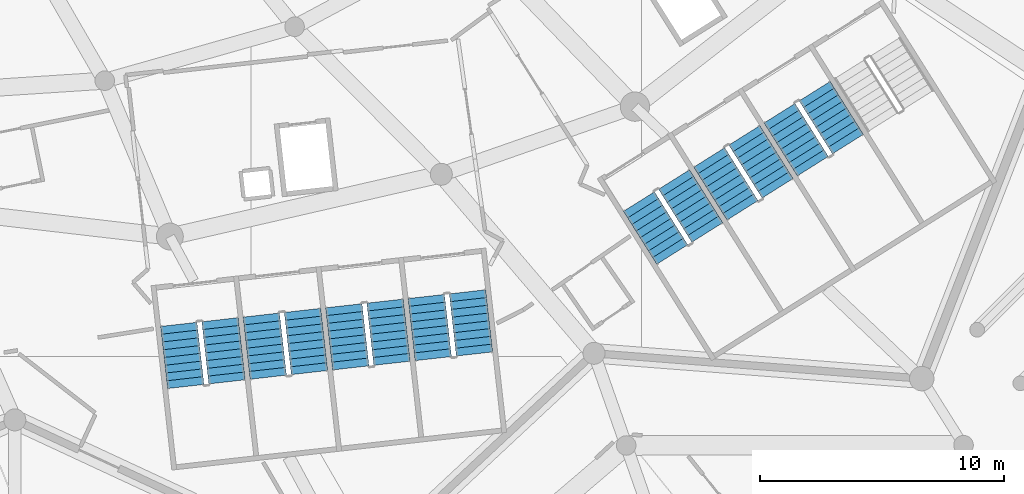
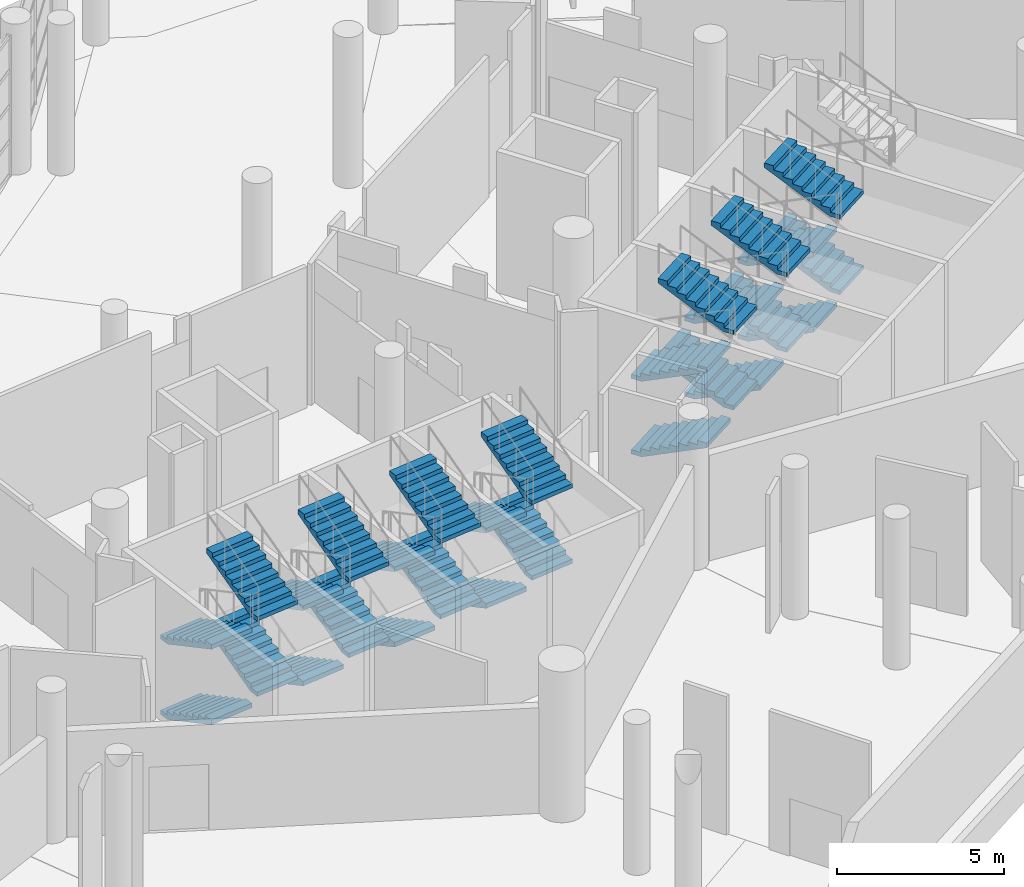
# One storey, part 210 of 271: 28 stair flights, 7 elements without a shape of their own.
"""IFC4 building model written with IfcOpenShell, lengths in metres."""

from ifc_helpers import new_model, si_unit, direction, frame, origin, place, context, subcontext, project, spatial, polyline, outline, extrude, material, type_object, element, aggregate, save


model = new_model("IFC4")

# Units and contexts
model_context = context("Model", 3, precision=1e-05, world=origin(), true_north=direction((0.0, 1.0)))
body_context = subcontext(model_context, "Body", "Model", "MODEL_VIEW")
ifc_project = project(units=[si_unit("LENGTHUNIT", "METRE"), si_unit("AREAUNIT", "SQUARE_METRE"), si_unit("VOLUMEUNIT", "CUBIC_METRE"), si_unit("PLANEANGLEUNIT", "RADIAN"), si_unit("MASSUNIT", "GRAM", prefix="KILO")], contexts=[model_context])

# Site, building, storey
site_placement = place(None, origin())
site = spatial("IfcSite", under=ifc_project, at=site_placement, CompositionType="ELEMENT")
building_placement = place(site_placement, origin())
building = spatial("IfcBuilding", under=site, at=building_placement, Name="Meseta Stadium", CompositionType="ELEMENT")
storey_placement = place(building_placement, frame((0.0, 0.0, 6.5)))
storey = spatial("IfcBuildingStorey", under=building, at=storey_placement, Name="L01", CompositionType="ELEMENT", Elevation=6.5)

# Stair, stair flights
ifc_material_1 = material(Name="Concrete C40/50", Category="concrete")
stair_type = type_object("IfcStairType", Name="Exit stair 4 flights 153 mm risers", PredefinedType="HALF_TURN_STAIR", material=ifc_material_1)
stair_1_placement = place(storey_placement, origin())
stair_1 = element("IfcStair", 1, at=stair_1_placement, inside=storey, type_object=stair_type, Name="ST101 L01", PredefinedType="HALF_TURN_STAIR")
ifc_material_2 = material(Name="Concrete C40/50", Category="concrete")
stair_flight_type = type_object("IfcStairFlightType", Name="Exit stair flight 153 mm risers, 4 per storey", PredefinedType="STRAIGHT", material=ifc_material_2)
stair_flight_1_placement = place(storey_placement, frame((45.04736328125, -94.687744140625, 0.0), z_axis=(0.0, 0.0, 1.0), x_axis=(0.11196446867, -0.993712210731, 0.0)))
stair_flight_1 = element("IfcStairFlight", 2, at=stair_flight_1_placement, type_object=stair_flight_type, Name="ST101 L01 flight 1", NumberOfRisers=9, NumberOfTreads=8, PredefinedType="STRAIGHT", RiserHeight=0.152777778, TreadLength=0.32, context=body_context, shape_type="SweptSolid", body=[
    extrude(outline(polyline([(0.0, 0.0), (0.0, 0.15283203125), (0.320068359375, 0.15283203125), (0.320068359375, 0.3056640625), (0.639892578125, 0.3056640625), (0.639892578125, 0.458251953125), (0.9599609375, 0.458251953125), (0.9599609375, 0.611083984375), (1.280029296875, 0.611083984375), (1.280029296875, 0.763916015625), (1.60009765625, 0.763916015625), (1.60009765625, 0.916748046875), (1.919921875, 0.916748046875), (1.919921875, 1.0693359375), (2.239990234375, 1.0693359375), (2.239990234375, 1.22216796875), (2.56005859375, 1.22216796875), (2.56005859375, 1.05615234375), (0.347900390625, 0.0), (0.0, 0.0)])), frame((0.0, 0.75, 0.0), z_axis=(0.0, -1.0, 0.0), x_axis=(1.0, 0.0, 0.0)), (0.0, 0.0, 1.0), 1.5),
])
stair_flight_2_placement = place(storey_placement, frame((47.0234375, -97.041259765625, 1.375), z_axis=(0.0, 0.0, 1.0), x_axis=(-0.11196446867, 0.993712210731, 0.0)))
stair_flight_2 = element("IfcStairFlight", 3, at=stair_flight_2_placement, type_object=stair_flight_type, Name="ST101 L01 flight 2", NumberOfRisers=9, NumberOfTreads=8, PredefinedType="STRAIGHT", RiserHeight=0.152777778, TreadLength=0.32, context=body_context, shape_type="SweptSolid", body=[
    extrude(outline(polyline([(0.0, 0.0), (0.0, 0.15283203125), (0.320068359375, 0.15283203125), (0.320068359375, 0.3056640625), (0.639892578125, 0.3056640625), (0.639892578125, 0.458251953125), (0.9599609375, 0.458251953125), (0.9599609375, 0.611083984375), (1.280029296875, 0.611083984375), (1.280029296875, 0.763916015625), (1.60009765625, 0.763916015625), (1.60009765625, 0.916748046875), (1.919921875, 0.916748046875), (1.919921875, 1.0693359375), (2.239990234375, 1.0693359375), (2.239990234375, 1.22216796875), (2.56005859375, 1.22216796875), (2.56005859375, 1.05615234375), (0.347900390625, 0.0), (0.0, 0.0)])), frame((0.0, 0.75, 0.0), z_axis=(0.0, -1.0, 0.0), x_axis=(1.0, 0.0, 0.0)), (0.0, 0.0, 1.0), 1.5),
])
stair_flight_3_placement = place(storey_placement, frame((45.04736328125, -94.687744140625, 2.75), z_axis=(0.0, 0.0, 1.0), x_axis=(0.11196446867, -0.993712210731, 0.0)))
stair_flight_3 = element("IfcStairFlight", 4, at=stair_flight_3_placement, type_object=stair_flight_type, Name="ST101 L01 flight 3", NumberOfRisers=9, NumberOfTreads=8, PredefinedType="STRAIGHT", RiserHeight=0.152777778, TreadLength=0.32, context=body_context, shape_type="SweptSolid", body=[
    extrude(outline(polyline([(0.0, 0.0), (0.0, 0.15283203125), (0.320068359375, 0.15283203125), (0.320068359375, 0.3056640625), (0.639892578125, 0.3056640625), (0.639892578125, 0.458251953125), (0.9599609375, 0.458251953125), (0.9599609375, 0.611083984375), (1.280029296875, 0.611083984375), (1.280029296875, 0.763916015625), (1.60009765625, 0.763916015625), (1.60009765625, 0.916748046875), (1.919921875, 0.916748046875), (1.919921875, 1.0693359375), (2.239990234375, 1.0693359375), (2.239990234375, 1.22216796875), (2.56005859375, 1.22216796875), (2.56005859375, 1.05615234375), (0.347900390625, 0.0), (0.0, 0.0)])), frame((0.0, 0.75, 0.0), z_axis=(0.0, -1.0, 0.0), x_axis=(1.0, 0.0, 0.0)), (0.0, 0.0, 1.0), 1.5),
])
stair_flight_4_placement = place(storey_placement, frame((47.0234375, -97.041259765625, 4.125), z_axis=(0.0, 0.0, 1.0), x_axis=(-0.11196446867, 0.993712210731, 0.0)))
stair_flight_4 = element("IfcStairFlight", 5, at=stair_flight_4_placement, type_object=stair_flight_type, Name="ST101 L01 flight 4", NumberOfRisers=9, NumberOfTreads=8, PredefinedType="STRAIGHT", RiserHeight=0.152777778, TreadLength=0.32, context=body_context, shape_type="SweptSolid", body=[
    extrude(outline(polyline([(0.0, 0.0), (0.0, 0.15283203125), (0.320068359375, 0.15283203125), (0.320068359375, 0.3056640625), (0.639892578125, 0.3056640625), (0.639892578125, 0.458251953125), (0.9599609375, 0.458251953125), (0.9599609375, 0.611083984375), (1.280029296875, 0.611083984375), (1.280029296875, 0.763916015625), (1.60009765625, 0.763916015625), (1.60009765625, 0.916748046875), (1.919921875, 0.916748046875), (1.919921875, 1.0693359375), (2.239990234375, 1.0693359375), (2.239990234375, 1.22216796875), (2.56005859375, 1.22216796875), (2.56005859375, 1.05615234375), (0.347900390625, 0.0), (0.0, 0.0)])), frame((0.0, 0.75, 0.0), z_axis=(0.0, -1.0, 0.0), x_axis=(1.0, 0.0, 0.0)), (0.0, 0.0, 1.0), 1.5),
])
aggregate(stair_1, [stair_flight_1, stair_flight_2, stair_flight_3, stair_flight_4])

stair_2_placement = place(storey_placement, origin())
stair_2 = element("IfcStair", 6, at=stair_2_placement, inside=storey, type_object=stair_type, Name="ST102 L01", PredefinedType="HALF_TURN_STAIR")
stair_flight_5_placement = place(storey_placement, frame((48.426025390625, -94.306884765625, 0.0), z_axis=(0.0, 0.0, 1.0), x_axis=(0.11196446867, -0.993712210731, 0.0)))
stair_flight_5 = element("IfcStairFlight", 7, at=stair_flight_5_placement, type_object=stair_flight_type, Name="ST102 L01 flight 1", NumberOfRisers=9, NumberOfTreads=8, PredefinedType="STRAIGHT", RiserHeight=0.152777778, TreadLength=0.32, context=body_context, shape_type="SweptSolid", body=[
    extrude(outline(polyline([(0.0, 0.0), (0.0, 0.15283203125), (0.320068359375, 0.15283203125), (0.320068359375, 0.3056640625), (0.639892578125, 0.3056640625), (0.639892578125, 0.458251953125), (0.9599609375, 0.458251953125), (0.9599609375, 0.611083984375), (1.280029296875, 0.611083984375), (1.280029296875, 0.763916015625), (1.60009765625, 0.763916015625), (1.60009765625, 0.916748046875), (1.919921875, 0.916748046875), (1.919921875, 1.0693359375), (2.239990234375, 1.0693359375), (2.239990234375, 1.22216796875), (2.56005859375, 1.22216796875), (2.56005859375, 1.05615234375), (0.347900390625, 0.0), (0.0, 0.0)])), frame((0.0, 0.75, 0.0), z_axis=(0.0, -1.0, 0.0), x_axis=(1.0, 0.0, 0.0)), (0.0, 0.0, 1.0), 1.5),
])
stair_flight_6_placement = place(storey_placement, frame((50.402099609375, -96.66064453125, 1.375), z_axis=(0.0, 0.0, 1.0), x_axis=(-0.11196446867, 0.993712210731, 0.0)))
stair_flight_6 = element("IfcStairFlight", 8, at=stair_flight_6_placement, type_object=stair_flight_type, Name="ST102 L01 flight 2", NumberOfRisers=9, NumberOfTreads=8, PredefinedType="STRAIGHT", RiserHeight=0.152777778, TreadLength=0.32, context=body_context, shape_type="SweptSolid", body=[
    extrude(outline(polyline([(0.0, 0.0), (0.0, 0.15283203125), (0.320068359375, 0.15283203125), (0.320068359375, 0.3056640625), (0.639892578125, 0.3056640625), (0.639892578125, 0.458251953125), (0.9599609375, 0.458251953125), (0.9599609375, 0.611083984375), (1.280029296875, 0.611083984375), (1.280029296875, 0.763916015625), (1.60009765625, 0.763916015625), (1.60009765625, 0.916748046875), (1.919921875, 0.916748046875), (1.919921875, 1.0693359375), (2.239990234375, 1.0693359375), (2.239990234375, 1.22216796875), (2.56005859375, 1.22216796875), (2.56005859375, 1.05615234375), (0.347900390625, 0.0), (0.0, 0.0)])), frame((0.0, 0.75, 0.0), z_axis=(0.0, -1.0, 0.0), x_axis=(1.0, 0.0, 0.0)), (0.0, 0.0, 1.0), 1.5),
])
stair_flight_7_placement = place(storey_placement, frame((48.426025390625, -94.306884765625, 2.75), z_axis=(0.0, 0.0, 1.0), x_axis=(0.11196446867, -0.993712210731, 0.0)))
stair_flight_7 = element("IfcStairFlight", 9, at=stair_flight_7_placement, type_object=stair_flight_type, Name="ST102 L01 flight 3", NumberOfRisers=9, NumberOfTreads=8, PredefinedType="STRAIGHT", RiserHeight=0.152777778, TreadLength=0.32, context=body_context, shape_type="SweptSolid", body=[
    extrude(outline(polyline([(0.0, 0.0), (0.0, 0.15283203125), (0.320068359375, 0.15283203125), (0.320068359375, 0.3056640625), (0.639892578125, 0.3056640625), (0.639892578125, 0.458251953125), (0.9599609375, 0.458251953125), (0.9599609375, 0.611083984375), (1.280029296875, 0.611083984375), (1.280029296875, 0.763916015625), (1.60009765625, 0.763916015625), (1.60009765625, 0.916748046875), (1.919921875, 0.916748046875), (1.919921875, 1.0693359375), (2.239990234375, 1.0693359375), (2.239990234375, 1.22216796875), (2.56005859375, 1.22216796875), (2.56005859375, 1.05615234375), (0.347900390625, 0.0), (0.0, 0.0)])), frame((0.0, 0.75, 0.0), z_axis=(0.0, -1.0, 0.0), x_axis=(1.0, 0.0, 0.0)), (0.0, 0.0, 1.0), 1.5),
])
stair_flight_8_placement = place(storey_placement, frame((50.402099609375, -96.66064453125, 4.125), z_axis=(0.0, 0.0, 1.0), x_axis=(-0.11196446867, 0.993712210731, 0.0)))
stair_flight_8 = element("IfcStairFlight", 10, at=stair_flight_8_placement, type_object=stair_flight_type, Name="ST102 L01 flight 4", NumberOfRisers=9, NumberOfTreads=8, PredefinedType="STRAIGHT", RiserHeight=0.152777778, TreadLength=0.32, context=body_context, shape_type="SweptSolid", body=[
    extrude(outline(polyline([(0.0, 0.0), (0.0, 0.15283203125), (0.320068359375, 0.15283203125), (0.320068359375, 0.3056640625), (0.639892578125, 0.3056640625), (0.639892578125, 0.458251953125), (0.9599609375, 0.458251953125), (0.9599609375, 0.611083984375), (1.280029296875, 0.611083984375), (1.280029296875, 0.763916015625), (1.60009765625, 0.763916015625), (1.60009765625, 0.916748046875), (1.919921875, 0.916748046875), (1.919921875, 1.0693359375), (2.239990234375, 1.0693359375), (2.239990234375, 1.22216796875), (2.56005859375, 1.22216796875), (2.56005859375, 1.05615234375), (0.347900390625, 0.0), (0.0, 0.0)])), frame((0.0, 0.75, 0.0), z_axis=(0.0, -1.0, 0.0), x_axis=(1.0, 0.0, 0.0)), (0.0, 0.0, 1.0), 1.5),
])
aggregate(stair_2, [stair_flight_5, stair_flight_6, stair_flight_7, stair_flight_8])

stair_3_placement = place(storey_placement, origin())
stair_3 = element("IfcStair", 11, at=stair_3_placement, inside=storey, type_object=stair_type, Name="ST103 L01", PredefinedType="HALF_TURN_STAIR")
stair_flight_9_placement = place(storey_placement, frame((51.8046875, -93.92626953125, 0.0), z_axis=(0.0, 0.0, 1.0), x_axis=(0.11196446867, -0.993712210731, 0.0)))
stair_flight_9 = element("IfcStairFlight", 12, at=stair_flight_9_placement, type_object=stair_flight_type, Name="ST103 L01 flight 1", NumberOfRisers=9, NumberOfTreads=8, PredefinedType="STRAIGHT", RiserHeight=0.152777778, TreadLength=0.32, context=body_context, shape_type="SweptSolid", body=[
    extrude(outline(polyline([(0.0, 0.0), (0.0, 0.15283203125), (0.320068359375, 0.15283203125), (0.320068359375, 0.3056640625), (0.639892578125, 0.3056640625), (0.639892578125, 0.458251953125), (0.9599609375, 0.458251953125), (0.9599609375, 0.611083984375), (1.280029296875, 0.611083984375), (1.280029296875, 0.763916015625), (1.60009765625, 0.763916015625), (1.60009765625, 0.916748046875), (1.919921875, 0.916748046875), (1.919921875, 1.0693359375), (2.239990234375, 1.0693359375), (2.239990234375, 1.22216796875), (2.56005859375, 1.22216796875), (2.56005859375, 1.05615234375), (0.347900390625, 0.0), (0.0, 0.0)])), frame((0.0, 0.75, 0.0), z_axis=(0.0, -1.0, 0.0), x_axis=(1.0, 0.0, 0.0)), (0.0, 0.0, 1.0), 1.5),
])
stair_flight_10_placement = place(storey_placement, frame((53.780517578125, -96.27978515625, 1.375), z_axis=(0.0, 0.0, 1.0), x_axis=(-0.11196446867, 0.993712210731, 0.0)))
stair_flight_10 = element("IfcStairFlight", 13, at=stair_flight_10_placement, type_object=stair_flight_type, Name="ST103 L01 flight 2", NumberOfRisers=9, NumberOfTreads=8, PredefinedType="STRAIGHT", RiserHeight=0.152777778, TreadLength=0.32, context=body_context, shape_type="SweptSolid", body=[
    extrude(outline(polyline([(0.0, 0.0), (0.0, 0.15283203125), (0.320068359375, 0.15283203125), (0.320068359375, 0.3056640625), (0.639892578125, 0.3056640625), (0.639892578125, 0.458251953125), (0.9599609375, 0.458251953125), (0.9599609375, 0.611083984375), (1.280029296875, 0.611083984375), (1.280029296875, 0.763916015625), (1.60009765625, 0.763916015625), (1.60009765625, 0.916748046875), (1.919921875, 0.916748046875), (1.919921875, 1.0693359375), (2.239990234375, 1.0693359375), (2.239990234375, 1.22216796875), (2.56005859375, 1.22216796875), (2.56005859375, 1.05615234375), (0.347900390625, 0.0), (0.0, 0.0)])), frame((0.0, 0.75, 0.0), z_axis=(0.0, -1.0, 0.0), x_axis=(1.0, 0.0, 0.0)), (0.0, 0.0, 1.0), 1.5),
])
stair_flight_11_placement = place(storey_placement, frame((51.8046875, -93.92626953125, 2.75), z_axis=(0.0, 0.0, 1.0), x_axis=(0.11196446867, -0.993712210731, 0.0)))
stair_flight_11 = element("IfcStairFlight", 14, at=stair_flight_11_placement, type_object=stair_flight_type, Name="ST103 L01 flight 3", NumberOfRisers=9, NumberOfTreads=8, PredefinedType="STRAIGHT", RiserHeight=0.152777778, TreadLength=0.32, context=body_context, shape_type="SweptSolid", body=[
    extrude(outline(polyline([(0.0, 0.0), (0.0, 0.15283203125), (0.320068359375, 0.15283203125), (0.320068359375, 0.3056640625), (0.639892578125, 0.3056640625), (0.639892578125, 0.458251953125), (0.9599609375, 0.458251953125), (0.9599609375, 0.611083984375), (1.280029296875, 0.611083984375), (1.280029296875, 0.763916015625), (1.60009765625, 0.763916015625), (1.60009765625, 0.916748046875), (1.919921875, 0.916748046875), (1.919921875, 1.0693359375), (2.239990234375, 1.0693359375), (2.239990234375, 1.22216796875), (2.56005859375, 1.22216796875), (2.56005859375, 1.05615234375), (0.347900390625, 0.0), (0.0, 0.0)])), frame((0.0, 0.75, 0.0), z_axis=(0.0, -1.0, 0.0), x_axis=(1.0, 0.0, 0.0)), (0.0, 0.0, 1.0), 1.5),
])
stair_flight_12_placement = place(storey_placement, frame((53.780517578125, -96.27978515625, 4.125), z_axis=(0.0, 0.0, 1.0), x_axis=(-0.11196446867, 0.993712210731, 0.0)))
stair_flight_12 = element("IfcStairFlight", 15, at=stair_flight_12_placement, type_object=stair_flight_type, Name="ST103 L01 flight 4", NumberOfRisers=9, NumberOfTreads=8, PredefinedType="STRAIGHT", RiserHeight=0.152777778, TreadLength=0.32, context=body_context, shape_type="SweptSolid", body=[
    extrude(outline(polyline([(0.0, 0.0), (0.0, 0.15283203125), (0.320068359375, 0.15283203125), (0.320068359375, 0.3056640625), (0.639892578125, 0.3056640625), (0.639892578125, 0.458251953125), (0.9599609375, 0.458251953125), (0.9599609375, 0.611083984375), (1.280029296875, 0.611083984375), (1.280029296875, 0.763916015625), (1.60009765625, 0.763916015625), (1.60009765625, 0.916748046875), (1.919921875, 0.916748046875), (1.919921875, 1.0693359375), (2.239990234375, 1.0693359375), (2.239990234375, 1.22216796875), (2.56005859375, 1.22216796875), (2.56005859375, 1.05615234375), (0.347900390625, 0.0), (0.0, 0.0)])), frame((0.0, 0.75, 0.0), z_axis=(0.0, -1.0, 0.0), x_axis=(1.0, 0.0, 0.0)), (0.0, 0.0, 1.0), 1.5),
])
aggregate(stair_3, [stair_flight_9, stair_flight_10, stair_flight_11, stair_flight_12])

stair_4_placement = place(storey_placement, origin())
stair_4 = element("IfcStair", 16, at=stair_4_placement, inside=storey, type_object=stair_type, Name="ST104 L01", PredefinedType="HALF_TURN_STAIR")
stair_flight_13_placement = place(storey_placement, frame((55.183349609375, -93.545654296875, 0.0), z_axis=(0.0, 0.0, 1.0), x_axis=(0.11196446867, -0.993712210731, 0.0)))
stair_flight_13 = element("IfcStairFlight", 17, at=stair_flight_13_placement, type_object=stair_flight_type, Name="ST104 L01 flight 1", NumberOfRisers=9, NumberOfTreads=8, PredefinedType="STRAIGHT", RiserHeight=0.152777778, TreadLength=0.32, context=body_context, shape_type="SweptSolid", body=[
    extrude(outline(polyline([(0.0, 0.0), (0.0, 0.15283203125), (0.320068359375, 0.15283203125), (0.320068359375, 0.3056640625), (0.639892578125, 0.3056640625), (0.639892578125, 0.458251953125), (0.9599609375, 0.458251953125), (0.9599609375, 0.611083984375), (1.280029296875, 0.611083984375), (1.280029296875, 0.763916015625), (1.60009765625, 0.763916015625), (1.60009765625, 0.916748046875), (1.919921875, 0.916748046875), (1.919921875, 1.0693359375), (2.239990234375, 1.0693359375), (2.239990234375, 1.22216796875), (2.56005859375, 1.22216796875), (2.56005859375, 1.05615234375), (0.347900390625, 0.0), (0.0, 0.0)])), frame((0.0, 0.75, 0.0), z_axis=(0.0, -1.0, 0.0), x_axis=(1.0, 0.0, 0.0)), (0.0, 0.0, 1.0), 1.5),
])
stair_flight_14_placement = place(storey_placement, frame((57.1591796875, -95.899169921875, 1.375), z_axis=(0.0, 0.0, 1.0), x_axis=(-0.11196446867, 0.993712210731, 0.0)))
stair_flight_14 = element("IfcStairFlight", 18, at=stair_flight_14_placement, type_object=stair_flight_type, Name="ST104 L01 flight 2", NumberOfRisers=9, NumberOfTreads=8, PredefinedType="STRAIGHT", RiserHeight=0.152777778, TreadLength=0.32, context=body_context, shape_type="SweptSolid", body=[
    extrude(outline(polyline([(0.0, 0.0), (0.0, 0.15283203125), (0.320068359375, 0.15283203125), (0.320068359375, 0.3056640625), (0.639892578125, 0.3056640625), (0.639892578125, 0.458251953125), (0.9599609375, 0.458251953125), (0.9599609375, 0.611083984375), (1.280029296875, 0.611083984375), (1.280029296875, 0.763916015625), (1.60009765625, 0.763916015625), (1.60009765625, 0.916748046875), (1.919921875, 0.916748046875), (1.919921875, 1.0693359375), (2.239990234375, 1.0693359375), (2.239990234375, 1.22216796875), (2.56005859375, 1.22216796875), (2.56005859375, 1.05615234375), (0.347900390625, 0.0), (0.0, 0.0)])), frame((0.0, 0.75, 0.0), z_axis=(0.0, -1.0, 0.0), x_axis=(1.0, 0.0, 0.0)), (0.0, 0.0, 1.0), 1.5),
])
stair_flight_15_placement = place(storey_placement, frame((55.183349609375, -93.545654296875, 2.75), z_axis=(0.0, 0.0, 1.0), x_axis=(0.11196446867, -0.993712210731, 0.0)))
stair_flight_15 = element("IfcStairFlight", 19, at=stair_flight_15_placement, type_object=stair_flight_type, Name="ST104 L01 flight 3", NumberOfRisers=9, NumberOfTreads=8, PredefinedType="STRAIGHT", RiserHeight=0.152777778, TreadLength=0.32, context=body_context, shape_type="SweptSolid", body=[
    extrude(outline(polyline([(0.0, 0.0), (0.0, 0.15283203125), (0.320068359375, 0.15283203125), (0.320068359375, 0.3056640625), (0.639892578125, 0.3056640625), (0.639892578125, 0.458251953125), (0.9599609375, 0.458251953125), (0.9599609375, 0.611083984375), (1.280029296875, 0.611083984375), (1.280029296875, 0.763916015625), (1.60009765625, 0.763916015625), (1.60009765625, 0.916748046875), (1.919921875, 0.916748046875), (1.919921875, 1.0693359375), (2.239990234375, 1.0693359375), (2.239990234375, 1.22216796875), (2.56005859375, 1.22216796875), (2.56005859375, 1.05615234375), (0.347900390625, 0.0), (0.0, 0.0)])), frame((0.0, 0.75, 0.0), z_axis=(0.0, -1.0, 0.0), x_axis=(1.0, 0.0, 0.0)), (0.0, 0.0, 1.0), 1.5),
])
stair_flight_16_placement = place(storey_placement, frame((57.1591796875, -95.899169921875, 4.125), z_axis=(0.0, 0.0, 1.0), x_axis=(-0.11196446867, 0.993712210731, 0.0)))
stair_flight_16 = element("IfcStairFlight", 20, at=stair_flight_16_placement, type_object=stair_flight_type, Name="ST104 L01 flight 4", NumberOfRisers=9, NumberOfTreads=8, PredefinedType="STRAIGHT", RiserHeight=0.152777778, TreadLength=0.32, context=body_context, shape_type="SweptSolid", body=[
    extrude(outline(polyline([(0.0, 0.0), (0.0, 0.15283203125), (0.320068359375, 0.15283203125), (0.320068359375, 0.3056640625), (0.639892578125, 0.3056640625), (0.639892578125, 0.458251953125), (0.9599609375, 0.458251953125), (0.9599609375, 0.611083984375), (1.280029296875, 0.611083984375), (1.280029296875, 0.763916015625), (1.60009765625, 0.763916015625), (1.60009765625, 0.916748046875), (1.919921875, 0.916748046875), (1.919921875, 1.0693359375), (2.239990234375, 1.0693359375), (2.239990234375, 1.22216796875), (2.56005859375, 1.22216796875), (2.56005859375, 1.05615234375), (0.347900390625, 0.0), (0.0, 0.0)])), frame((0.0, 0.75, 0.0), z_axis=(0.0, -1.0, 0.0), x_axis=(1.0, 0.0, 0.0)), (0.0, 0.0, 1.0), 1.5),
])
aggregate(stair_4, [stair_flight_13, stair_flight_14, stair_flight_15, stair_flight_16])

stair_5_placement = place(storey_placement, origin())
stair_5 = element("IfcStair", 21, at=stair_5_placement, inside=storey, type_object=stair_type, Name="ST105 L01", PredefinedType="HALF_TURN_STAIR")
stair_flight_17_placement = place(storey_placement, frame((63.892578125, -89.659423828125, 0.0), z_axis=(0.0, 0.0, 1.0), x_axis=(0.532032074404, -0.846724200555, 0.0)))
stair_flight_17 = element("IfcStairFlight", 22, at=stair_flight_17_placement, type_object=stair_flight_type, Name="ST105 L01 flight 1", NumberOfRisers=9, NumberOfTreads=8, PredefinedType="STRAIGHT", RiserHeight=0.152777778, TreadLength=0.32, context=body_context, shape_type="SweptSolid", body=[
    extrude(outline(polyline([(0.0, 0.0), (0.0, 0.15283203125), (0.320068359375, 0.15283203125), (0.320068359375, 0.3056640625), (0.639892578125, 0.3056640625), (0.639892578125, 0.458251953125), (0.9599609375, 0.458251953125), (0.9599609375, 0.611083984375), (1.280029296875, 0.611083984375), (1.280029296875, 0.763916015625), (1.60009765625, 0.763916015625), (1.60009765625, 0.916748046875), (1.919921875, 0.916748046875), (1.919921875, 1.0693359375), (2.239990234375, 1.0693359375), (2.239990234375, 1.22216796875), (2.56005859375, 1.22216796875), (2.56005859375, 1.05615234375), (0.347900390625, 0.0), (0.0, 0.0)])), frame((0.0, 0.75, 0.0), z_axis=(0.0, -1.0, 0.0), x_axis=(1.0, 0.0, 0.0)), (0.0, 0.0, 1.0), 1.5),
])
stair_flight_18_placement = place(storey_placement, frame((66.694091796875, -90.922607421875, 1.375), z_axis=(0.0, 0.0, 1.0), x_axis=(-0.532032074404, 0.846724200555, 0.0)))
stair_flight_18 = element("IfcStairFlight", 23, at=stair_flight_18_placement, type_object=stair_flight_type, Name="ST105 L01 flight 2", NumberOfRisers=9, NumberOfTreads=8, PredefinedType="STRAIGHT", RiserHeight=0.152777778, TreadLength=0.32, context=body_context, shape_type="SweptSolid", body=[
    extrude(outline(polyline([(0.0, 0.0), (0.0, 0.15283203125), (0.320068359375, 0.15283203125), (0.320068359375, 0.3056640625), (0.639892578125, 0.3056640625), (0.639892578125, 0.458251953125), (0.9599609375, 0.458251953125), (0.9599609375, 0.611083984375), (1.280029296875, 0.611083984375), (1.280029296875, 0.763916015625), (1.60009765625, 0.763916015625), (1.60009765625, 0.916748046875), (1.919921875, 0.916748046875), (1.919921875, 1.0693359375), (2.239990234375, 1.0693359375), (2.239990234375, 1.22216796875), (2.56005859375, 1.22216796875), (2.56005859375, 1.05615234375), (0.347900390625, 0.0), (0.0, 0.0)])), frame((0.0, 0.75, 0.0), z_axis=(0.0, -1.0, 0.0), x_axis=(1.0, 0.0, 0.0)), (0.0, 0.0, 1.0), 1.5),
])
stair_flight_19_placement = place(storey_placement, frame((63.892578125, -89.659423828125, 2.75), z_axis=(0.0, 0.0, 1.0), x_axis=(0.532032074404, -0.846724200555, 0.0)))
stair_flight_19 = element("IfcStairFlight", 24, at=stair_flight_19_placement, type_object=stair_flight_type, Name="ST105 L01 flight 3", NumberOfRisers=9, NumberOfTreads=8, PredefinedType="STRAIGHT", RiserHeight=0.152777778, TreadLength=0.32, context=body_context, shape_type="SweptSolid", body=[
    extrude(outline(polyline([(0.0, 0.0), (0.0, 0.15283203125), (0.320068359375, 0.15283203125), (0.320068359375, 0.3056640625), (0.639892578125, 0.3056640625), (0.639892578125, 0.458251953125), (0.9599609375, 0.458251953125), (0.9599609375, 0.611083984375), (1.280029296875, 0.611083984375), (1.280029296875, 0.763916015625), (1.60009765625, 0.763916015625), (1.60009765625, 0.916748046875), (1.919921875, 0.916748046875), (1.919921875, 1.0693359375), (2.239990234375, 1.0693359375), (2.239990234375, 1.22216796875), (2.56005859375, 1.22216796875), (2.56005859375, 1.05615234375), (0.347900390625, 0.0), (0.0, 0.0)])), frame((0.0, 0.75, 0.0), z_axis=(0.0, -1.0, 0.0), x_axis=(1.0, 0.0, 0.0)), (0.0, 0.0, 1.0), 1.5),
])
stair_flight_20_placement = place(storey_placement, frame((66.694091796875, -90.922607421875, 4.125), z_axis=(0.0, 0.0, 1.0), x_axis=(-0.532032074404, 0.846724200555, 0.0)))
stair_flight_20 = element("IfcStairFlight", 25, at=stair_flight_20_placement, type_object=stair_flight_type, Name="ST105 L01 flight 4", NumberOfRisers=9, NumberOfTreads=8, PredefinedType="STRAIGHT", RiserHeight=0.152777778, TreadLength=0.32, context=body_context, shape_type="SweptSolid", body=[
    extrude(outline(polyline([(0.0, 0.0), (0.0, 0.15283203125), (0.320068359375, 0.15283203125), (0.320068359375, 0.3056640625), (0.639892578125, 0.3056640625), (0.639892578125, 0.458251953125), (0.9599609375, 0.458251953125), (0.9599609375, 0.611083984375), (1.280029296875, 0.611083984375), (1.280029296875, 0.763916015625), (1.60009765625, 0.763916015625), (1.60009765625, 0.916748046875), (1.919921875, 0.916748046875), (1.919921875, 1.0693359375), (2.239990234375, 1.0693359375), (2.239990234375, 1.22216796875), (2.56005859375, 1.22216796875), (2.56005859375, 1.05615234375), (0.347900390625, 0.0), (0.0, 0.0)])), frame((0.0, 0.75, 0.0), z_axis=(0.0, -1.0, 0.0), x_axis=(1.0, 0.0, 0.0)), (0.0, 0.0, 1.0), 1.5),
])
aggregate(stair_5, [stair_flight_17, stair_flight_18, stair_flight_19, stair_flight_20])

stair_6_placement = place(storey_placement, origin())
stair_6 = element("IfcStair", 26, at=stair_6_placement, inside=storey, type_object=stair_type, Name="ST106 L01", PredefinedType="HALF_TURN_STAIR")
stair_flight_21_placement = place(storey_placement, frame((66.771484375, -87.8505859375, 0.0), z_axis=(0.0, 0.0, 1.0), x_axis=(0.532032074404, -0.846724200555, 0.0)))
stair_flight_21 = element("IfcStairFlight", 27, at=stair_flight_21_placement, type_object=stair_flight_type, Name="ST106 L01 flight 1", NumberOfRisers=9, NumberOfTreads=8, PredefinedType="STRAIGHT", RiserHeight=0.152777778, TreadLength=0.32, context=body_context, shape_type="SweptSolid", body=[
    extrude(outline(polyline([(0.0, 0.0), (0.0, 0.15283203125), (0.320068359375, 0.15283203125), (0.320068359375, 0.3056640625), (0.639892578125, 0.3056640625), (0.639892578125, 0.458251953125), (0.9599609375, 0.458251953125), (0.9599609375, 0.611083984375), (1.280029296875, 0.611083984375), (1.280029296875, 0.763916015625), (1.60009765625, 0.763916015625), (1.60009765625, 0.916748046875), (1.919921875, 0.916748046875), (1.919921875, 1.0693359375), (2.239990234375, 1.0693359375), (2.239990234375, 1.22216796875), (2.56005859375, 1.22216796875), (2.56005859375, 1.05615234375), (0.347900390625, 0.0), (0.0, 0.0)])), frame((0.0, 0.75, 0.0), z_axis=(0.0, -1.0, 0.0), x_axis=(1.0, 0.0, 0.0)), (0.0, 0.0, 1.0), 1.5),
])
stair_flight_22_placement = place(storey_placement, frame((69.57275390625, -89.11376953125, 1.375), z_axis=(0.0, 0.0, 1.0), x_axis=(-0.532032074404, 0.846724200555, 0.0)))
stair_flight_22 = element("IfcStairFlight", 28, at=stair_flight_22_placement, type_object=stair_flight_type, Name="ST106 L01 flight 2", NumberOfRisers=9, NumberOfTreads=8, PredefinedType="STRAIGHT", RiserHeight=0.152777778, TreadLength=0.32, context=body_context, shape_type="SweptSolid", body=[
    extrude(outline(polyline([(0.0, 0.0), (0.0, 0.15283203125), (0.320068359375, 0.15283203125), (0.320068359375, 0.3056640625), (0.639892578125, 0.3056640625), (0.639892578125, 0.458251953125), (0.9599609375, 0.458251953125), (0.9599609375, 0.611083984375), (1.280029296875, 0.611083984375), (1.280029296875, 0.763916015625), (1.60009765625, 0.763916015625), (1.60009765625, 0.916748046875), (1.919921875, 0.916748046875), (1.919921875, 1.0693359375), (2.239990234375, 1.0693359375), (2.239990234375, 1.22216796875), (2.56005859375, 1.22216796875), (2.56005859375, 1.05615234375), (0.347900390625, 0.0), (0.0, 0.0)])), frame((0.0, 0.75, 0.0), z_axis=(0.0, -1.0, 0.0), x_axis=(1.0, 0.0, 0.0)), (0.0, 0.0, 1.0), 1.5),
])
stair_flight_23_placement = place(storey_placement, frame((66.771484375, -87.8505859375, 2.75), z_axis=(0.0, 0.0, 1.0), x_axis=(0.532032074404, -0.846724200555, 0.0)))
stair_flight_23 = element("IfcStairFlight", 29, at=stair_flight_23_placement, type_object=stair_flight_type, Name="ST106 L01 flight 3", NumberOfRisers=9, NumberOfTreads=8, PredefinedType="STRAIGHT", RiserHeight=0.152777778, TreadLength=0.32, context=body_context, shape_type="SweptSolid", body=[
    extrude(outline(polyline([(0.0, 0.0), (0.0, 0.15283203125), (0.320068359375, 0.15283203125), (0.320068359375, 0.3056640625), (0.639892578125, 0.3056640625), (0.639892578125, 0.458251953125), (0.9599609375, 0.458251953125), (0.9599609375, 0.611083984375), (1.280029296875, 0.611083984375), (1.280029296875, 0.763916015625), (1.60009765625, 0.763916015625), (1.60009765625, 0.916748046875), (1.919921875, 0.916748046875), (1.919921875, 1.0693359375), (2.239990234375, 1.0693359375), (2.239990234375, 1.22216796875), (2.56005859375, 1.22216796875), (2.56005859375, 1.05615234375), (0.347900390625, 0.0), (0.0, 0.0)])), frame((0.0, 0.75, 0.0), z_axis=(0.0, -1.0, 0.0), x_axis=(1.0, 0.0, 0.0)), (0.0, 0.0, 1.0), 1.5),
])
stair_flight_24_placement = place(storey_placement, frame((69.57275390625, -89.11376953125, 4.125), z_axis=(0.0, 0.0, 1.0), x_axis=(-0.532032074404, 0.846724200555, 0.0)))
stair_flight_24 = element("IfcStairFlight", 30, at=stair_flight_24_placement, type_object=stair_flight_type, Name="ST106 L01 flight 4", NumberOfRisers=9, NumberOfTreads=8, PredefinedType="STRAIGHT", RiserHeight=0.152777778, TreadLength=0.32, context=body_context, shape_type="SweptSolid", body=[
    extrude(outline(polyline([(0.0, 0.0), (0.0, 0.15283203125), (0.320068359375, 0.15283203125), (0.320068359375, 0.3056640625), (0.639892578125, 0.3056640625), (0.639892578125, 0.458251953125), (0.9599609375, 0.458251953125), (0.9599609375, 0.611083984375), (1.280029296875, 0.611083984375), (1.280029296875, 0.763916015625), (1.60009765625, 0.763916015625), (1.60009765625, 0.916748046875), (1.919921875, 0.916748046875), (1.919921875, 1.0693359375), (2.239990234375, 1.0693359375), (2.239990234375, 1.22216796875), (2.56005859375, 1.22216796875), (2.56005859375, 1.05615234375), (0.347900390625, 0.0), (0.0, 0.0)])), frame((0.0, 0.75, 0.0), z_axis=(0.0, -1.0, 0.0), x_axis=(1.0, 0.0, 0.0)), (0.0, 0.0, 1.0), 1.5),
])
aggregate(stair_6, [stair_flight_21, stair_flight_22, stair_flight_23, stair_flight_24])

stair_7_placement = place(storey_placement, origin())
stair_7 = element("IfcStair", 31, at=stair_7_placement, inside=storey, type_object=stair_type, Name="ST107 L01", PredefinedType="HALF_TURN_STAIR")
stair_flight_25_placement = place(storey_placement, frame((69.650390625, -86.04150390625, 0.0), z_axis=(0.0, 0.0, 1.0), x_axis=(0.532032074404, -0.846724200555, 0.0)))
stair_flight_25 = element("IfcStairFlight", 32, at=stair_flight_25_placement, type_object=stair_flight_type, Name="ST107 L01 flight 1", NumberOfRisers=9, NumberOfTreads=8, PredefinedType="STRAIGHT", RiserHeight=0.152777778, TreadLength=0.32, context=body_context, shape_type="SweptSolid", body=[
    extrude(outline(polyline([(0.0, 0.0), (0.0, 0.15283203125), (0.320068359375, 0.15283203125), (0.320068359375, 0.3056640625), (0.639892578125, 0.3056640625), (0.639892578125, 0.458251953125), (0.9599609375, 0.458251953125), (0.9599609375, 0.611083984375), (1.280029296875, 0.611083984375), (1.280029296875, 0.763916015625), (1.60009765625, 0.763916015625), (1.60009765625, 0.916748046875), (1.919921875, 0.916748046875), (1.919921875, 1.0693359375), (2.239990234375, 1.0693359375), (2.239990234375, 1.22216796875), (2.56005859375, 1.22216796875), (2.56005859375, 1.05615234375), (0.347900390625, 0.0), (0.0, 0.0)])), frame((0.0, 0.75, 0.0), z_axis=(0.0, -1.0, 0.0), x_axis=(1.0, 0.0, 0.0)), (0.0, 0.0, 1.0), 1.5),
])
stair_flight_26_placement = place(storey_placement, frame((72.45166015625, -87.3046875, 1.375), z_axis=(0.0, 0.0, 1.0), x_axis=(-0.532032074404, 0.846724200555, 0.0)))
stair_flight_26 = element("IfcStairFlight", 33, at=stair_flight_26_placement, type_object=stair_flight_type, Name="ST107 L01 flight 2", NumberOfRisers=9, NumberOfTreads=8, PredefinedType="STRAIGHT", RiserHeight=0.152777778, TreadLength=0.32, context=body_context, shape_type="SweptSolid", body=[
    extrude(outline(polyline([(0.0, 0.0), (0.0, 0.15283203125), (0.320068359375, 0.15283203125), (0.320068359375, 0.3056640625), (0.639892578125, 0.3056640625), (0.639892578125, 0.458251953125), (0.9599609375, 0.458251953125), (0.9599609375, 0.611083984375), (1.280029296875, 0.611083984375), (1.280029296875, 0.763916015625), (1.60009765625, 0.763916015625), (1.60009765625, 0.916748046875), (1.919921875, 0.916748046875), (1.919921875, 1.0693359375), (2.239990234375, 1.0693359375), (2.239990234375, 1.22216796875), (2.56005859375, 1.22216796875), (2.56005859375, 1.05615234375), (0.347900390625, 0.0), (0.0, 0.0)])), frame((0.0, 0.75, 0.0), z_axis=(0.0, -1.0, 0.0), x_axis=(1.0, 0.0, 0.0)), (0.0, 0.0, 1.0), 1.5),
])
stair_flight_27_placement = place(storey_placement, frame((69.650390625, -86.04150390625, 2.75), z_axis=(0.0, 0.0, 1.0), x_axis=(0.532032074404, -0.846724200555, 0.0)))
stair_flight_27 = element("IfcStairFlight", 34, at=stair_flight_27_placement, type_object=stair_flight_type, Name="ST107 L01 flight 3", NumberOfRisers=9, NumberOfTreads=8, PredefinedType="STRAIGHT", RiserHeight=0.152777778, TreadLength=0.32, context=body_context, shape_type="SweptSolid", body=[
    extrude(outline(polyline([(0.0, 0.0), (0.0, 0.15283203125), (0.320068359375, 0.15283203125), (0.320068359375, 0.3056640625), (0.639892578125, 0.3056640625), (0.639892578125, 0.458251953125), (0.9599609375, 0.458251953125), (0.9599609375, 0.611083984375), (1.280029296875, 0.611083984375), (1.280029296875, 0.763916015625), (1.60009765625, 0.763916015625), (1.60009765625, 0.916748046875), (1.919921875, 0.916748046875), (1.919921875, 1.0693359375), (2.239990234375, 1.0693359375), (2.239990234375, 1.22216796875), (2.56005859375, 1.22216796875), (2.56005859375, 1.05615234375), (0.347900390625, 0.0), (0.0, 0.0)])), frame((0.0, 0.75, 0.0), z_axis=(0.0, -1.0, 0.0), x_axis=(1.0, 0.0, 0.0)), (0.0, 0.0, 1.0), 1.5),
])
stair_flight_28_placement = place(storey_placement, frame((72.45166015625, -87.3046875, 4.125), z_axis=(0.0, 0.0, 1.0), x_axis=(-0.532032074404, 0.846724200555, 0.0)))
stair_flight_28 = element("IfcStairFlight", 35, at=stair_flight_28_placement, type_object=stair_flight_type, Name="ST107 L01 flight 4", NumberOfRisers=9, NumberOfTreads=8, PredefinedType="STRAIGHT", RiserHeight=0.152777778, TreadLength=0.32, context=body_context, shape_type="SweptSolid", body=[
    extrude(outline(polyline([(0.0, 0.0), (0.0, 0.15283203125), (0.320068359375, 0.15283203125), (0.320068359375, 0.3056640625), (0.639892578125, 0.3056640625), (0.639892578125, 0.458251953125), (0.9599609375, 0.458251953125), (0.9599609375, 0.611083984375), (1.280029296875, 0.611083984375), (1.280029296875, 0.763916015625), (1.60009765625, 0.763916015625), (1.60009765625, 0.916748046875), (1.919921875, 0.916748046875), (1.919921875, 1.0693359375), (2.239990234375, 1.0693359375), (2.239990234375, 1.22216796875), (2.56005859375, 1.22216796875), (2.56005859375, 1.05615234375), (0.347900390625, 0.0), (0.0, 0.0)])), frame((0.0, 0.75, 0.0), z_axis=(0.0, -1.0, 0.0), x_axis=(1.0, 0.0, 0.0)), (0.0, 0.0, 1.0), 1.5),
])
aggregate(stair_7, [stair_flight_25, stair_flight_26, stair_flight_27, stair_flight_28])

save(model, "model.ifc")
